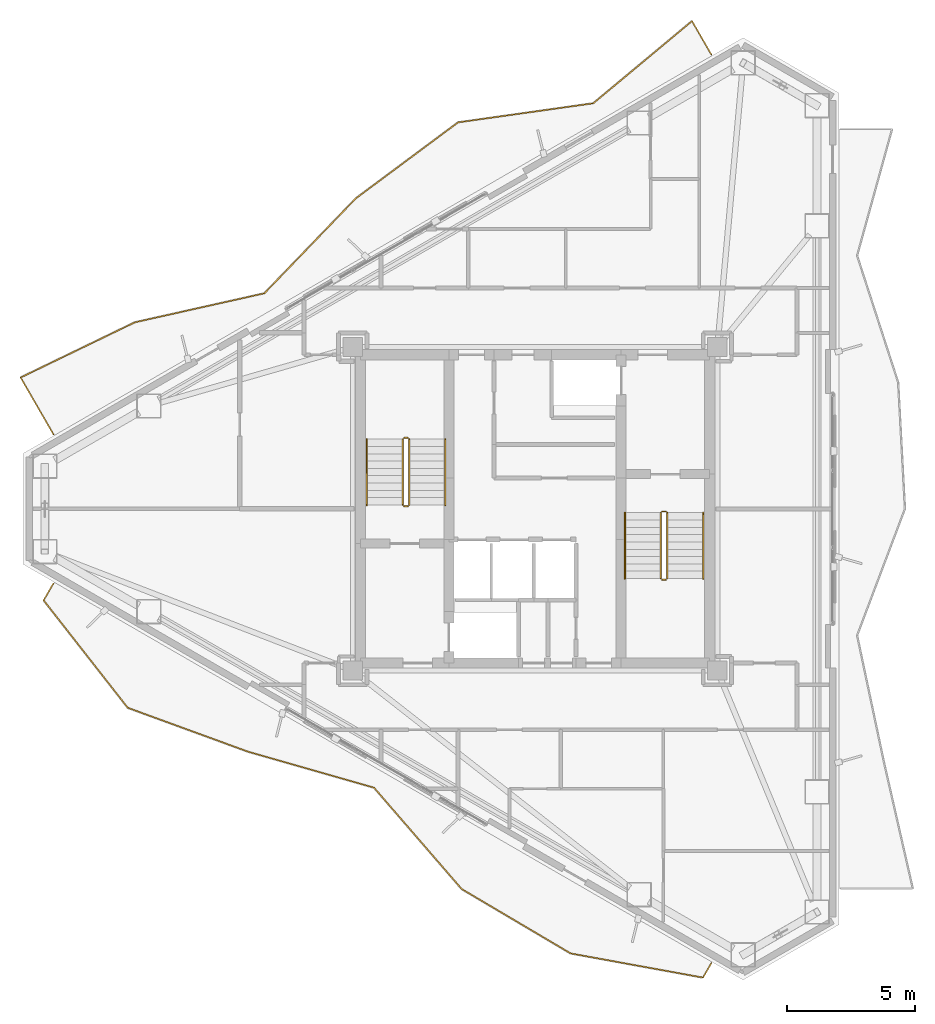
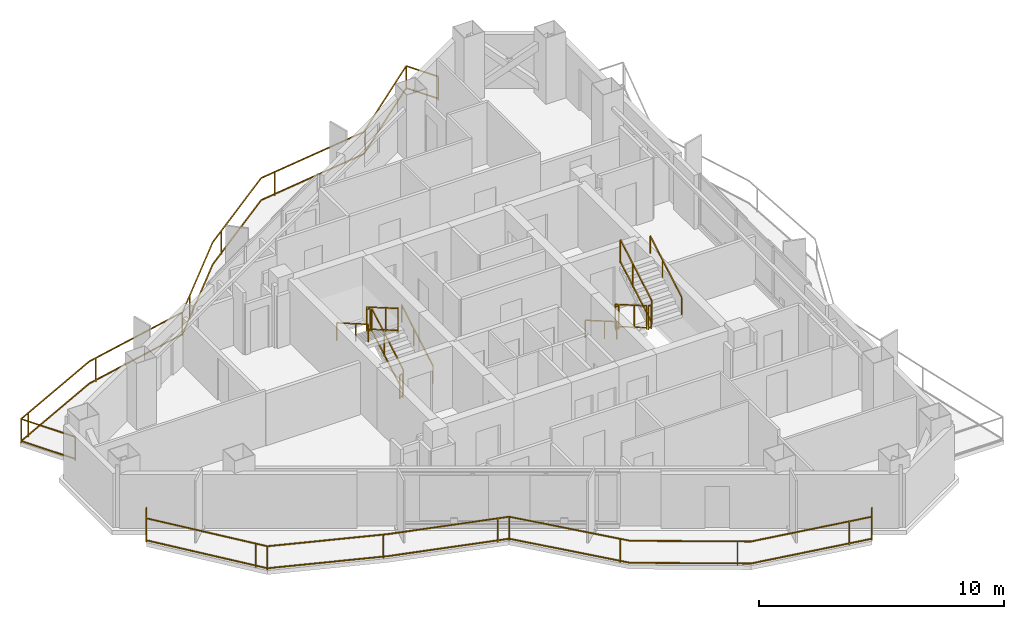
# One storey, part 20 of 21: 14 railings.
"""IFC4 building model written with IfcOpenShell, lengths in metres."""

from ifc_helpers import new_model, si_unit, direction, frame, origin, origin_2d, place, context, subcontext, project, spatial, rectangle, extrude, material, type_object, element, save


model = new_model("IFC4")

# Units and contexts
model_context = context("Model", 3, precision=1e-05, world=origin(), true_north=direction((0.0, 1.0)))
body_context = subcontext(model_context, "Body", "Model", "MODEL_VIEW")
ifc_project = project(units=[si_unit("LENGTHUNIT", "METRE"), si_unit("AREAUNIT", "SQUARE_METRE"), si_unit("VOLUMEUNIT", "CUBIC_METRE"), si_unit("PLANEANGLEUNIT", "RADIAN"), si_unit("MASSUNIT", "GRAM", prefix="KILO")], contexts=[model_context])

# Site, building, storey
site_placement = place(None, origin())
site = spatial("IfcSite", under=ifc_project, at=site_placement, CompositionType="ELEMENT")
building_placement = place(site_placement, origin())
building = spatial("IfcBuilding", under=site, at=building_placement, Name="Mersakhor Tower and Convention Hall", CompositionType="ELEMENT")
storey_placement = place(building_placement, frame((0.0, 0.0, 178.800048828125)))
storey = spatial("IfcBuildingStorey", under=building, at=storey_placement, Name="L49", CompositionType="ELEMENT", Elevation=178.800048828125)

# Railings
ifc_material_1 = material(Name="Powder-coated galvanised steel and laminated glass balustrade", Category="steel")
railing_type_1 = type_object("IfcRailingType", Name="RL-BAL-1200", PredefinedType="BALUSTRADE", material=ifc_material_1)
railing_1_placement = place(storey_placement, frame((35.86669921875, 44.44189453125, 0.0)))
element("IfcRailing", 1, at=railing_1_placement, inside=storey, type_object=railing_type_1, Name="L49 Sinusoidal Balcony Balustrade F1", PredefinedType="BALUSTRADE", context=body_context, shape_type="SweptSolid", body=[
    extrude(rectangle(XDim=0.048095703125, YDim=0.048095703125, at=origin_2d()), frame((0.0, 0.0, 1.17578125), z_axis=(-0.499980071345, 0.866036909293, 0.0), x_axis=(-0.866036909293, -0.499980071345, 0.0)), (0.0, 0.0, 1.0), 1.50390625),
    extrude(rectangle(XDim=0.048095703125, YDim=0.048095703125, at=origin_2d()), frame((0.0, 0.0, 0.080078125), z_axis=(-0.499980071345, 0.866036909293, 0.0), x_axis=(-0.866036909293, -0.499980071345, 0.0)), (0.0, 0.0, 1.0), 1.50390625),
    extrude(rectangle(XDim=0.048095703125, YDim=0.048095703125, at=origin_2d()), frame((-0.751953125, 1.302490234375, 1.17578125), z_axis=(-0.768641056762, -0.639680330994, 0.0), x_axis=(0.639680330994, -0.768641056762, 0.0)), (0.0, 0.0, 1.0), 5.003662109375),
    extrude(rectangle(XDim=0.048095703125, YDim=0.048095703125, at=origin_2d()), frame((-0.751953125, 1.302490234375, 0.080078125), z_axis=(-0.768641056762, -0.639680330994, 0.0), x_axis=(0.639680330994, -0.768641056762, 0.0)), (0.0, 0.0, 1.0), 5.003662109375),
    extrude(rectangle(XDim=0.048095703125, YDim=0.048095703125, at=origin_2d()), frame((-4.597900390625, -1.898193359375, 1.17578125), z_axis=(-0.990175973678, -0.139826825574, 0.0), x_axis=(0.139826825574, -0.990175973678, 0.0)), (0.0, 0.0, 1.0), 5.316650390625),
    extrude(rectangle(XDim=0.048095703125, YDim=0.048095703125, at=origin_2d()), frame((-4.597900390625, -1.898193359375, 0.080078125), z_axis=(-0.990175973678, -0.139826825574, 0.0), x_axis=(0.139826825574, -0.990175973678, 0.0)), (0.0, 0.0, 1.0), 5.316650390625),
    extrude(rectangle(XDim=0.048095703125, YDim=0.048095703125, at=origin_2d()), frame((-9.8623046875, -2.6416015625, 1.17578125), z_axis=(-0.802554115899, -0.596579325031, 0.0), x_axis=(0.596579325031, -0.802554115899, 0.0)), (0.0, 0.0, 1.0), 4.964111328125),
    extrude(rectangle(XDim=0.048095703125, YDim=0.048095703125, at=origin_2d()), frame((-9.8623046875, -2.6416015625, 0.080078125), z_axis=(-0.802554115899, -0.596579325031, 0.0), x_axis=(0.596579325031, -0.802554115899, 0.0)), (0.0, 0.0, 1.0), 4.964111328125),
    extrude(rectangle(XDim=0.048095703125, YDim=0.048095703125, at=origin_2d()), frame((-13.84619140625, -5.60302734375, 1.17578125), z_axis=(-0.693756877058, -0.720209272041, 0.0), x_axis=(0.720209272041, -0.693756877058, 0.0)), (0.0, 0.0, 1.0), 5.131591796875),
    extrude(rectangle(XDim=0.048095703125, YDim=0.048095703125, at=origin_2d()), frame((-13.84619140625, -5.60302734375, 0.080078125), z_axis=(-0.693756877058, -0.720209272041, 0.0), x_axis=(0.720209272041, -0.693756877058, 0.0)), (0.0, 0.0, 1.0), 5.131591796875),
    extrude(rectangle(XDim=0.048095703125, YDim=0.048095703125, at=origin_2d()), frame((-17.40625, -9.298828125, 1.17578125), z_axis=(-0.975836674345, -0.218501224259, 0.0), x_axis=(0.218501224259, -0.975836674345, 0.0)), (0.0, 0.0, 1.0), 5.16650390625),
    extrude(rectangle(XDim=0.048095703125, YDim=0.048095703125, at=origin_2d()), frame((-17.40625, -9.298828125, 0.080078125), z_axis=(-0.975836674345, -0.218501224259, 0.0), x_axis=(0.218501224259, -0.975836674345, 0.0)), (0.0, 0.0, 1.0), 5.16650390625),
    extrude(rectangle(XDim=0.048095703125, YDim=0.048095703125, at=origin_2d()), frame((-22.447998046875, -10.427734375, 1.17578125), z_axis=(-0.900350887465, -0.435164657849, 0.0), x_axis=(0.435164657849, -0.900350887465, 0.0)), (0.0, 0.0, 1.0), 4.9443359375),
    extrude(rectangle(XDim=0.048095703125, YDim=0.048095703125, at=origin_2d()), frame((-22.447998046875, -10.427734375, 0.080078125), z_axis=(-0.900350887465, -0.435164657849, 0.0), x_axis=(0.435164657849, -0.900350887465, 0.0)), (0.0, 0.0, 1.0), 4.9443359375),
    extrude(rectangle(XDim=0.048095703125, YDim=0.048095703125, at=origin_2d()), frame((-26.899658203125, -12.579345703125, 1.17578125), z_axis=(0.500022914263, -0.866012173824, 0.0), x_axis=(0.866012173824, 0.500022914263, 0.0)), (0.0, 0.0, 1.0), 2.5556640625),
    extrude(rectangle(XDim=0.048095703125, YDim=0.048095703125, at=origin_2d()), frame((-26.899658203125, -12.579345703125, 0.080078125), z_axis=(0.500022914263, -0.866012173824, 0.0), x_axis=(0.866012173824, 0.500022914263, 0.0)), (0.0, 0.0, 1.0), 2.5556640625),
    extrude(rectangle(XDim=0.0419921875, YDim=0.0419921875, at=origin_2d()), origin(), (0.0, 0.0, 1.0), 1.15185546875),
    extrude(rectangle(XDim=0.0419921875, YDim=0.0419921875, at=origin_2d()), frame((-0.751953125, 1.302490234375, 0.0)), (0.0, 0.0, 1.0), 1.15185546875),
    extrude(rectangle(XDim=0.0419921875, YDim=0.0419921875, at=origin_2d()), frame((-4.44140625, -1.76806640625, 0.0)), (0.0, 0.0, 1.0), 1.15185546875),
    extrude(rectangle(XDim=0.0419921875, YDim=0.0419921875, at=origin_2d()), frame((-9.149169921875, -2.541015625, 0.0)), (0.0, 0.0, 1.0), 1.15185546875),
    extrude(rectangle(XDim=0.0419921875, YDim=0.0419921875, at=origin_2d()), frame((-13.136474609375, -5.075439453125, 0.0)), (0.0, 0.0, 1.0), 1.15185546875),
    extrude(rectangle(XDim=0.0419921875, YDim=0.0419921875, at=origin_2d()), frame((-16.562744140625, -8.423095703125, 0.0)), (0.0, 0.0, 1.0), 1.15185546875),
    extrude(rectangle(XDim=0.0419921875, YDim=0.0419921875, at=origin_2d()), frame((-17.40625, -9.298828125, 0.0)), (0.0, 0.0, 1.0), 1.15185546875),
    extrude(rectangle(XDim=0.0419921875, YDim=0.0419921875, at=origin_2d()), frame((-22.09033203125, -10.34765625, 0.0)), (0.0, 0.0, 1.0), 1.15185546875),
    extrude(rectangle(XDim=0.0419921875, YDim=0.0419921875, at=origin_2d()), frame((-26.439697265625, -12.35693359375, 0.0)), (0.0, 0.0, 1.0), 1.15185546875),
    extrude(rectangle(XDim=0.0419921875, YDim=0.0419921875, at=origin_2d()), frame((-26.899658203125, -12.579345703125, 0.0)), (0.0, 0.0, 1.0), 1.15185546875),
    extrude(rectangle(XDim=0.0419921875, YDim=0.0419921875, at=origin_2d()), frame((-25.621826171875, -14.79248046875, 0.0)), (0.0, 0.0, 1.0), 1.15185546875),
])
railing_2_placement = place(storey_placement, frame((10.244873046875, 23.8505859375, 0.0)))
element("IfcRailing", 2, at=railing_2_placement, inside=storey, type_object=railing_type_1, Name="L49 Sinusoidal Balcony Balustrade F3", PredefinedType="BALUSTRADE", context=body_context, shape_type="SweptSolid", body=[
    extrude(rectangle(XDim=0.048095703125, YDim=0.048095703125, at=origin_2d()), frame((0.0, 0.0, 1.17578125), z_axis=(-0.500229669523, -0.865892763412, 0.0), x_axis=(0.865892763412, -0.500229669523, 0.0)), (0.0, 0.0, 1.0), 0.763916015625),
    extrude(rectangle(XDim=0.048095703125, YDim=0.048095703125, at=origin_2d()), frame((0.0, 0.0, 0.080078125), z_axis=(-0.500229669523, -0.865892763412, 0.0), x_axis=(0.865892763412, -0.500229669523, 0.0)), (0.0, 0.0, 1.0), 0.763916015625),
    extrude(rectangle(XDim=0.048095703125, YDim=0.048095703125, at=origin_2d()), frame((-0.382080078125, -0.661376953125, 1.17578125), z_axis=(0.616411029096, -0.787424563504, 0.0), x_axis=(0.787424563504, 0.616411029096, 0.0)), (0.0, 0.0, 1.0), 5.31640625),
    extrude(rectangle(XDim=0.048095703125, YDim=0.048095703125, at=origin_2d()), frame((-0.382080078125, -0.661376953125, 0.080078125), z_axis=(0.616411029096, -0.787424563504, 0.0), x_axis=(0.787424563504, 0.616411029096, 0.0)), (0.0, 0.0, 1.0), 5.31640625),
    extrude(rectangle(XDim=0.048095703125, YDim=0.048095703125, at=origin_2d()), frame((2.89501953125, -4.84765625, 1.17578125), z_axis=(0.939471224446, -0.342627813286, 0.0), x_axis=(0.342627813286, 0.939471224446, 0.0)), (0.0, 0.0, 1.0), 5.00634765625),
    extrude(rectangle(XDim=0.048095703125, YDim=0.048095703125, at=origin_2d()), frame((2.89501953125, -4.84765625, 0.080078125), z_axis=(0.939471224446, -0.342627813286, 0.0), x_axis=(0.342627813286, 0.939471224446, 0.0)), (0.0, 0.0, 1.0), 5.00634765625),
    extrude(rectangle(XDim=0.048095703125, YDim=0.048095703125, at=origin_2d()), frame((7.598388671875, -6.56298828125, 1.17578125), z_axis=(0.961533009574, -0.274689409149, 0.0), x_axis=(0.274689409149, 0.961533009574, 0.0)), (0.0, 0.0, 1.0), 5.0830078125),
    extrude(rectangle(XDim=0.048095703125, YDim=0.048095703125, at=origin_2d()), frame((7.598388671875, -6.56298828125, 0.080078125), z_axis=(0.961533009574, -0.274689409149, 0.0), x_axis=(0.274689409149, 0.961533009574, 0.0)), (0.0, 0.0, 1.0), 5.0830078125),
    extrude(rectangle(XDim=0.048095703125, YDim=0.048095703125, at=origin_2d()), frame((12.48583984375, -7.959228515625, 1.17578125), z_axis=(0.654278495045, -0.756253694816, 0.0), x_axis=(0.756253694816, 0.654278495045, 0.0)), (0.0, 0.0, 1.0), 5.21923828125),
    extrude(rectangle(XDim=0.048095703125, YDim=0.048095703125, at=origin_2d()), frame((12.48583984375, -7.959228515625, 0.080078125), z_axis=(0.654278495045, -0.756253694816, 0.0), x_axis=(0.756253694816, 0.654278495045, 0.0)), (0.0, 0.0, 1.0), 5.21923828125),
    extrude(rectangle(XDim=0.048095703125, YDim=0.048095703125, at=origin_2d()), frame((15.900634765625, -11.90625, 1.17578125), z_axis=(0.860967922172, -0.508659254307, 0.0), x_axis=(0.508659254307, 0.860967922172, 0.0)), (0.0, 0.0, 1.0), 4.93115234375),
    extrude(rectangle(XDim=0.048095703125, YDim=0.048095703125, at=origin_2d()), frame((15.900634765625, -11.90625, 0.080078125), z_axis=(0.860967922172, -0.508659254307, 0.0), x_axis=(0.508659254307, 0.860967922172, 0.0)), (0.0, 0.0, 1.0), 4.93115234375),
    extrude(rectangle(XDim=0.048095703125, YDim=0.048095703125, at=origin_2d()), frame((20.146240234375, -14.41455078125, 1.17578125), z_axis=(0.983720356805, -0.179706036646, 0.0), x_axis=(0.179706036646, 0.983720356805, 0.0)), (0.0, 0.0, 1.0), 5.23583984375),
    extrude(rectangle(XDim=0.048095703125, YDim=0.048095703125, at=origin_2d()), frame((20.146240234375, -14.41455078125, 0.080078125), z_axis=(0.983720356805, -0.179706036646, 0.0), x_axis=(0.179706036646, 0.983720356805, 0.0)), (0.0, 0.0, 1.0), 5.23583984375),
    extrude(rectangle(XDim=0.048095703125, YDim=0.048095703125, at=origin_2d()), frame((25.296875, -15.35546875, 1.17578125), z_axis=(0.49989585183, 0.866085525409, 0.0), x_axis=(-0.866085525409, 0.49989585183, 0.0)), (0.0, 0.0, 1.0), 0.650146484375),
    extrude(rectangle(XDim=0.048095703125, YDim=0.048095703125, at=origin_2d()), frame((25.296875, -15.35546875, 0.080078125), z_axis=(0.49989585183, 0.866085525409, 0.0), x_axis=(-0.866085525409, 0.49989585183, 0.0)), (0.0, 0.0, 1.0), 0.650146484375),
    extrude(rectangle(XDim=0.0419921875, YDim=0.0419921875, at=origin_2d()), origin(), (0.0, 0.0, 1.0), 1.15185546875),
    extrude(rectangle(XDim=0.0419921875, YDim=0.0419921875, at=origin_2d()), frame((-0.382080078125, -0.661376953125, 0.0)), (0.0, 0.0, 1.0), 1.15185546875),
    extrude(rectangle(XDim=0.0419921875, YDim=0.0419921875, at=origin_2d()), frame((2.57666015625, -4.44091796875, 0.0)), (0.0, 0.0, 1.0), 1.15185546875),
    extrude(rectangle(XDim=0.0419921875, YDim=0.0419921875, at=origin_2d()), frame((2.89501953125, -4.84765625, 0.0)), (0.0, 0.0, 1.0), 1.15185546875),
    extrude(rectangle(XDim=0.0419921875, YDim=0.0419921875, at=origin_2d()), frame((7.404541015625, -6.4921875, 0.0)), (0.0, 0.0, 1.0), 1.15185546875),
    extrude(rectangle(XDim=0.0419921875, YDim=0.0419921875, at=origin_2d()), frame((12.015380859375, -7.82470703125, 0.0)), (0.0, 0.0, 1.0), 1.15185546875),
    extrude(rectangle(XDim=0.0419921875, YDim=0.0419921875, at=origin_2d()), frame((12.48583984375, -7.959228515625, 0.0)), (0.0, 0.0, 1.0), 1.15185546875),
    extrude(rectangle(XDim=0.0419921875, YDim=0.0419921875, at=origin_2d()), frame((15.62646484375, -11.58935546875, 0.0)), (0.0, 0.0, 1.0), 1.15185546875),
    extrude(rectangle(XDim=0.0419921875, YDim=0.0419921875, at=origin_2d()), frame((19.67236328125, -14.134521484375, 0.0)), (0.0, 0.0, 1.0), 1.15185546875),
    extrude(rectangle(XDim=0.0419921875, YDim=0.0419921875, at=origin_2d()), frame((24.32666015625, -15.17822265625, 0.0)), (0.0, 0.0, 1.0), 1.15185546875),
    extrude(rectangle(XDim=0.0419921875, YDim=0.0419921875, at=origin_2d()), frame((25.296875, -15.35546875, 0.0)), (0.0, 0.0, 1.0), 1.15185546875),
    extrude(rectangle(XDim=0.0419921875, YDim=0.0419921875, at=origin_2d()), frame((25.621826171875, -14.79248046875, 0.0)), (0.0, 0.0, 1.0), 1.15185546875),
])
ifc_material_2 = material(Name="Brushed stainless steel handrail", Category="steel")
railing_type_2 = type_object("IfcRailingType", Name="RL-HR-900", PredefinedType="HANDRAIL", material=ifc_material_2)
railing_3_placement = place(storey_placement, frame((25.5, 26.89990234375, 0.1650390625)))
element("IfcRailing", 3, at=railing_3_placement, inside=storey, type_object=railing_type_2, Name="L49 ST-1 stair handrail 1", PredefinedType="HANDRAIL", context=body_context, shape_type="SweptSolid", body=[
    extrude(rectangle(XDim=0.048095703125, YDim=0.048095703125, at=origin_2d()), frame((0.0, 0.0, 0.8759765625), z_axis=(0.0, 0.865461999751, 0.500974577186), x_axis=(-1.0, 0.0, 0.0)), (0.0, 0.0, 1.0), 2.9638671875),
    extrude(rectangle(XDim=0.0419921875, YDim=0.0419921875, at=origin_2d()), origin(), (0.0, 0.0, 1.0), 0.851806640625),
    extrude(rectangle(XDim=0.0419921875, YDim=0.0419921875, at=origin_2d()), frame((0.0, 1.557861328125, 0.90185546875)), (0.0, 0.0, 1.0), 0.851806640625),
    extrude(rectangle(XDim=0.0419921875, YDim=0.0419921875, at=origin_2d()), frame((0.0, 2.565185546875, 1.48486328125)), (0.0, 0.0, 1.0), 0.851806640625),
])
railing_4_placement = place(storey_placement, frame((22.449951171875, 29.465087890625, 1.81494140625)))
element("IfcRailing", 4, at=railing_4_placement, inside=storey, type_object=railing_type_2, Name="L49 ST-1 stair handrail 2", PredefinedType="HANDRAIL", context=body_context, shape_type="SweptSolid", body=[
    extrude(rectangle(XDim=0.048095703125, YDim=0.048095703125, at=origin_2d()), frame((0.0, 0.0, 0.8759765625), z_axis=(0.0, -0.865426285481, 0.501036270542), x_axis=(1.0, 0.0, 0.0)), (0.0, 0.0, 1.0), 2.964111328125),
    extrude(rectangle(XDim=0.0419921875, YDim=0.0419921875, at=origin_2d()), origin(), (0.0, 0.0, 1.0), 0.851806640625),
    extrude(rectangle(XDim=0.0419921875, YDim=0.0419921875, at=origin_2d()), frame((0.0, -1.557861328125, 0.90185546875)), (0.0, 0.0, 1.0), 0.851806640625),
    extrude(rectangle(XDim=0.0419921875, YDim=0.0419921875, at=origin_2d()), frame((0.0, -2.565185546875, 1.485107421875)), (0.0, 0.0, 1.0), 0.851806640625),
])
railing_5_placement = place(storey_placement, frame((32.5, 26.60009765625, 0.1650390625)))
element("IfcRailing", 5, at=railing_5_placement, inside=storey, type_object=railing_type_2, Name="L49 ST-2 stair handrail 1", PredefinedType="HANDRAIL", context=body_context, shape_type="SweptSolid", body=[
    extrude(rectangle(XDim=0.048095703125, YDim=0.048095703125, at=origin_2d()), frame((0.0, 0.0, 0.8759765625), z_axis=(0.0, -0.865461999751, 0.500974577186), x_axis=(1.0, 0.0, 0.0)), (0.0, 0.0, 1.0), 2.9638671875),
    extrude(rectangle(XDim=0.0419921875, YDim=0.0419921875, at=origin_2d()), origin(), (0.0, 0.0, 1.0), 0.851806640625),
    extrude(rectangle(XDim=0.0419921875, YDim=0.0419921875, at=origin_2d()), frame((0.0, -1.557861328125, 0.90185546875)), (0.0, 0.0, 1.0), 0.851806640625),
    extrude(rectangle(XDim=0.0419921875, YDim=0.0419921875, at=origin_2d()), frame((0.0, -2.565185546875, 1.48486328125)), (0.0, 0.0, 1.0), 0.851806640625),
])
railing_6_placement = place(storey_placement, frame((35.550048828125, 24.034912109375, 1.81494140625)))
element("IfcRailing", 6, at=railing_6_placement, inside=storey, type_object=railing_type_2, Name="L49 ST-2 stair handrail 2", PredefinedType="HANDRAIL", context=body_context, shape_type="SweptSolid", body=[
    extrude(rectangle(XDim=0.048095703125, YDim=0.048095703125, at=origin_2d()), frame((0.0, 0.0, 0.8759765625), z_axis=(0.0, 0.865426285481, 0.501036270542), x_axis=(-1.0, 0.0, 0.0)), (0.0, 0.0, 1.0), 2.964111328125),
    extrude(rectangle(XDim=0.0419921875, YDim=0.0419921875, at=origin_2d()), origin(), (0.0, 0.0, 1.0), 0.851806640625),
    extrude(rectangle(XDim=0.0419921875, YDim=0.0419921875, at=origin_2d()), frame((0.0, 1.557861328125, 0.90185546875)), (0.0, 0.0, 1.0), 0.851806640625),
    extrude(rectangle(XDim=0.0419921875, YDim=0.0419921875, at=origin_2d()), frame((0.0, 2.565185546875, 1.485107421875)), (0.0, 0.0, 1.0), 0.851806640625),
])
ifc_material_3 = material(Name="Painted steel stair balustrade S355", Category="steel")
railing_type_3 = type_object("IfcRailingType", Name="RL-STG-1200", PredefinedType="BALUSTRADE", material=ifc_material_3)
railing_7_placement = place(storey_placement, frame((24.10009765625, 26.89990234375, 0.1650390625)))
element("IfcRailing", 7, at=railing_7_placement, inside=storey, type_object=railing_type_3, Name="L49 ST-1 stair guard 1", PredefinedType="BALUSTRADE", context=body_context, shape_type="SweptSolid", body=[
    extrude(rectangle(XDim=0.048095703125, YDim=0.048095703125, at=origin_2d()), frame((0.0, 0.0, 1.17578125), z_axis=(0.0, 0.865461999751, 0.500974577186), x_axis=(-1.0, 0.0, 0.0)), (0.0, 0.0, 1.0), 2.9638671875),
    extrude(rectangle(XDim=0.048095703125, YDim=0.048095703125, at=origin_2d()), frame((0.0, 0.0, 0.080078125), z_axis=(0.0, 0.865461999751, 0.500974577186), x_axis=(-1.0, 0.0, 0.0)), (0.0, 0.0, 1.0), 2.9638671875),
    extrude(rectangle(XDim=0.0419921875, YDim=0.0419921875, at=origin_2d()), origin(), (0.0, 0.0, 1.0), 1.15185546875),
    extrude(rectangle(XDim=0.0419921875, YDim=0.0419921875, at=origin_2d()), frame((0.0, 1.557861328125, 0.90185546875)), (0.0, 0.0, 1.0), 1.15185546875),
    extrude(rectangle(XDim=0.0419921875, YDim=0.0419921875, at=origin_2d()), frame((0.0, 2.565185546875, 1.48486328125)), (0.0, 0.0, 1.0), 1.15185546875),
])
railing_8_placement = place(storey_placement, frame((24.050048828125, 29.514892578125, 1.64990234375)))
element("IfcRailing", 8, at=railing_8_placement, inside=storey, type_object=railing_type_3, Name="L49 ST-1 stair guard 2", PredefinedType="BALUSTRADE", context=body_context, shape_type="SweptSolid", body=[
    extrude(rectangle(XDim=0.048095703125, YDim=0.048095703125, at=origin_2d()), frame((0.0, 0.0, 1.17578125), z_axis=(-1.0, 0.0, 0.0), x_axis=(0.0, -1.0, 0.0)), (0.0, 0.0, 1.0), 0.150146484375),
    extrude(rectangle(XDim=0.048095703125, YDim=0.048095703125, at=origin_2d()), frame((0.0, 0.0, 0.080078125), z_axis=(-1.0, 0.0, 0.0), x_axis=(0.0, -1.0, 0.0)), (0.0, 0.0, 1.0), 0.150146484375),
    extrude(rectangle(XDim=0.0419921875, YDim=0.0419921875, at=origin_2d()), origin(), (0.0, 0.0, 1.0), 1.15185546875),
    extrude(rectangle(XDim=0.0419921875, YDim=0.0419921875, at=origin_2d()), frame((-0.150146484375, 0.0, 0.0)), (0.0, 0.0, 1.0), 1.15185546875),
])
railing_9_placement = place(storey_placement, frame((23.85009765625, 29.465087890625, 1.81494140625)))
element("IfcRailing", 9, at=railing_9_placement, inside=storey, type_object=railing_type_3, Name="L49 ST-1 stair guard 3", PredefinedType="BALUSTRADE", context=body_context, shape_type="SweptSolid", body=[
    extrude(rectangle(XDim=0.048095703125, YDim=0.048095703125, at=origin_2d()), frame((0.0, 0.0, 1.17578125), z_axis=(0.0, -0.865426285481, 0.501036270542), x_axis=(1.0, 0.0, 0.0)), (0.0, 0.0, 1.0), 2.964111328125),
    extrude(rectangle(XDim=0.048095703125, YDim=0.048095703125, at=origin_2d()), frame((0.0, 0.0, 0.080078125), z_axis=(0.0, -0.865426285481, 0.501036270542), x_axis=(1.0, 0.0, 0.0)), (0.0, 0.0, 1.0), 2.964111328125),
    extrude(rectangle(XDim=0.0419921875, YDim=0.0419921875, at=origin_2d()), origin(), (0.0, 0.0, 1.0), 1.15185546875),
    extrude(rectangle(XDim=0.0419921875, YDim=0.0419921875, at=origin_2d()), frame((0.0, -1.557861328125, 0.90185546875)), (0.0, 0.0, 1.0), 1.15185546875),
    extrude(rectangle(XDim=0.0419921875, YDim=0.0419921875, at=origin_2d()), frame((0.0, -2.565185546875, 1.485107421875)), (0.0, 0.0, 1.0), 1.15185546875),
])
railing_10_placement = place(storey_placement, frame((24.050048828125, 26.85009765625, 0.0)))
element("IfcRailing", 10, at=railing_10_placement, inside=storey, type_object=railing_type_3, Name="L49 ST-1 stair guard 4", PredefinedType="BALUSTRADE", context=body_context, shape_type="SweptSolid", body=[
    extrude(rectangle(XDim=0.048095703125, YDim=0.048095703125, at=origin_2d()), frame((0.0, 0.0, 1.17578125), z_axis=(-1.0, 0.0, 0.0), x_axis=(0.0, -1.0, 0.0)), (0.0, 0.0, 1.0), 0.150146484375),
    extrude(rectangle(XDim=0.048095703125, YDim=0.048095703125, at=origin_2d()), frame((0.0, 0.0, 0.080078125), z_axis=(-1.0, 0.0, 0.0), x_axis=(0.0, -1.0, 0.0)), (0.0, 0.0, 1.0), 0.150146484375),
    extrude(rectangle(XDim=0.0419921875, YDim=0.0419921875, at=origin_2d()), origin(), (0.0, 0.0, 1.0), 1.15185546875),
    extrude(rectangle(XDim=0.0419921875, YDim=0.0419921875, at=origin_2d()), frame((-0.150146484375, 0.0, 0.0)), (0.0, 0.0, 1.0), 1.15185546875),
])
railing_11_placement = place(storey_placement, frame((33.89990234375, 26.60009765625, 0.1650390625)))
element("IfcRailing", 11, at=railing_11_placement, inside=storey, type_object=railing_type_3, Name="L49 ST-2 stair guard 1", PredefinedType="BALUSTRADE", context=body_context, shape_type="SweptSolid", body=[
    extrude(rectangle(XDim=0.048095703125, YDim=0.048095703125, at=origin_2d()), frame((0.0, 0.0, 1.17578125), z_axis=(0.0, -0.865461999751, 0.500974577186), x_axis=(1.0, 0.0, 0.0)), (0.0, 0.0, 1.0), 2.9638671875),
    extrude(rectangle(XDim=0.048095703125, YDim=0.048095703125, at=origin_2d()), frame((0.0, 0.0, 0.080078125), z_axis=(0.0, -0.865461999751, 0.500974577186), x_axis=(1.0, 0.0, 0.0)), (0.0, 0.0, 1.0), 2.9638671875),
    extrude(rectangle(XDim=0.0419921875, YDim=0.0419921875, at=origin_2d()), origin(), (0.0, 0.0, 1.0), 1.15185546875),
    extrude(rectangle(XDim=0.0419921875, YDim=0.0419921875, at=origin_2d()), frame((0.0, -1.557861328125, 0.90185546875)), (0.0, 0.0, 1.0), 1.15185546875),
    extrude(rectangle(XDim=0.0419921875, YDim=0.0419921875, at=origin_2d()), frame((0.0, -2.565185546875, 1.48486328125)), (0.0, 0.0, 1.0), 1.15185546875),
])
railing_12_placement = place(storey_placement, frame((33.949951171875, 23.985107421875, 1.64990234375)))
element("IfcRailing", 12, at=railing_12_placement, inside=storey, type_object=railing_type_3, Name="L49 ST-2 stair guard 2", PredefinedType="BALUSTRADE", context=body_context, shape_type="SweptSolid", body=[
    extrude(rectangle(XDim=0.048095703125, YDim=0.048095703125, at=origin_2d()), frame((0.0, 0.0, 1.17578125), z_axis=(1.0, 0.0, 0.0), x_axis=(0.0, 1.0, 0.0)), (0.0, 0.0, 1.0), 0.150146484375),
    extrude(rectangle(XDim=0.048095703125, YDim=0.048095703125, at=origin_2d()), frame((0.0, 0.0, 0.080078125), z_axis=(1.0, 0.0, 0.0), x_axis=(0.0, 1.0, 0.0)), (0.0, 0.0, 1.0), 0.150146484375),
    extrude(rectangle(XDim=0.0419921875, YDim=0.0419921875, at=origin_2d()), origin(), (0.0, 0.0, 1.0), 1.15185546875),
    extrude(rectangle(XDim=0.0419921875, YDim=0.0419921875, at=origin_2d()), frame((0.150146484375, 0.0, 0.0)), (0.0, 0.0, 1.0), 1.15185546875),
])
railing_13_placement = place(storey_placement, frame((34.14990234375, 24.034912109375, 1.81494140625)))
element("IfcRailing", 13, at=railing_13_placement, inside=storey, type_object=railing_type_3, Name="L49 ST-2 stair guard 3", PredefinedType="BALUSTRADE", context=body_context, shape_type="SweptSolid", body=[
    extrude(rectangle(XDim=0.048095703125, YDim=0.048095703125, at=origin_2d()), frame((0.0, 0.0, 1.17578125), z_axis=(0.0, 0.865426285481, 0.501036270542), x_axis=(-1.0, 0.0, 0.0)), (0.0, 0.0, 1.0), 2.964111328125),
    extrude(rectangle(XDim=0.048095703125, YDim=0.048095703125, at=origin_2d()), frame((0.0, 0.0, 0.080078125), z_axis=(0.0, 0.865426285481, 0.501036270542), x_axis=(-1.0, 0.0, 0.0)), (0.0, 0.0, 1.0), 2.964111328125),
    extrude(rectangle(XDim=0.0419921875, YDim=0.0419921875, at=origin_2d()), origin(), (0.0, 0.0, 1.0), 1.15185546875),
    extrude(rectangle(XDim=0.0419921875, YDim=0.0419921875, at=origin_2d()), frame((0.0, 1.557861328125, 0.90185546875)), (0.0, 0.0, 1.0), 1.15185546875),
    extrude(rectangle(XDim=0.0419921875, YDim=0.0419921875, at=origin_2d()), frame((0.0, 2.565185546875, 1.485107421875)), (0.0, 0.0, 1.0), 1.15185546875),
])
railing_14_placement = place(storey_placement, frame((33.949951171875, 26.64990234375, 0.0)))
element("IfcRailing", 14, at=railing_14_placement, inside=storey, type_object=railing_type_3, Name="L49 ST-2 stair guard 4", PredefinedType="BALUSTRADE", context=body_context, shape_type="SweptSolid", body=[
    extrude(rectangle(XDim=0.048095703125, YDim=0.048095703125, at=origin_2d()), frame((0.0, 0.0, 1.17578125), z_axis=(1.0, 0.0, 0.0), x_axis=(0.0, 1.0, 0.0)), (0.0, 0.0, 1.0), 0.150146484375),
    extrude(rectangle(XDim=0.048095703125, YDim=0.048095703125, at=origin_2d()), frame((0.0, 0.0, 0.080078125), z_axis=(1.0, 0.0, 0.0), x_axis=(0.0, 1.0, 0.0)), (0.0, 0.0, 1.0), 0.150146484375),
    extrude(rectangle(XDim=0.0419921875, YDim=0.0419921875, at=origin_2d()), origin(), (0.0, 0.0, 1.0), 1.15185546875),
    extrude(rectangle(XDim=0.0419921875, YDim=0.0419921875, at=origin_2d()), frame((0.150146484375, 0.0, 0.0)), (0.0, 0.0, 1.0), 1.15185546875),
])

save(model, "model.ifc")
